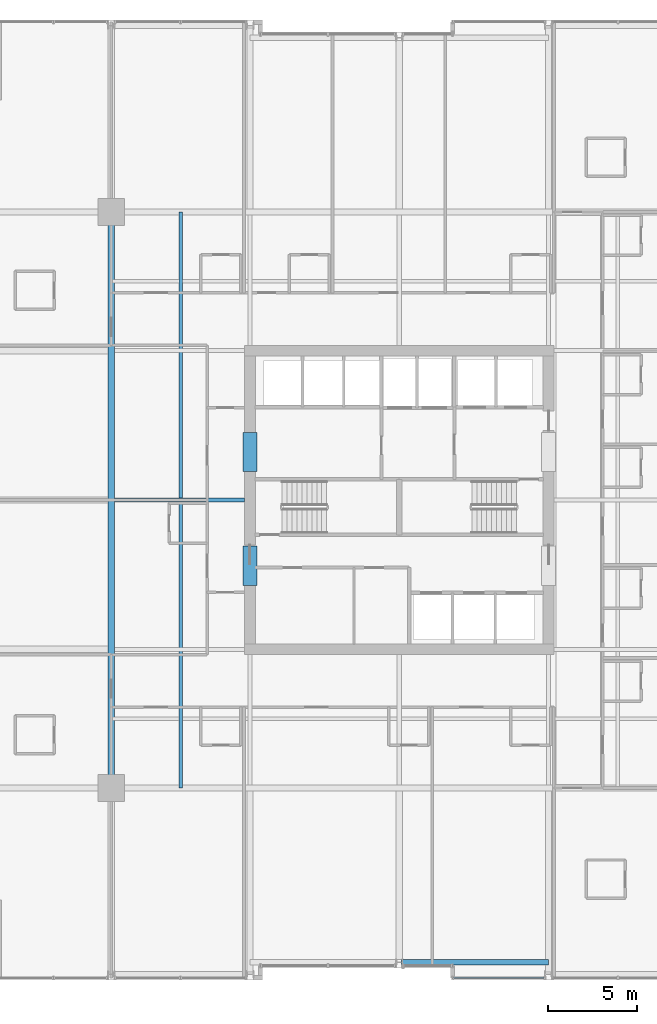
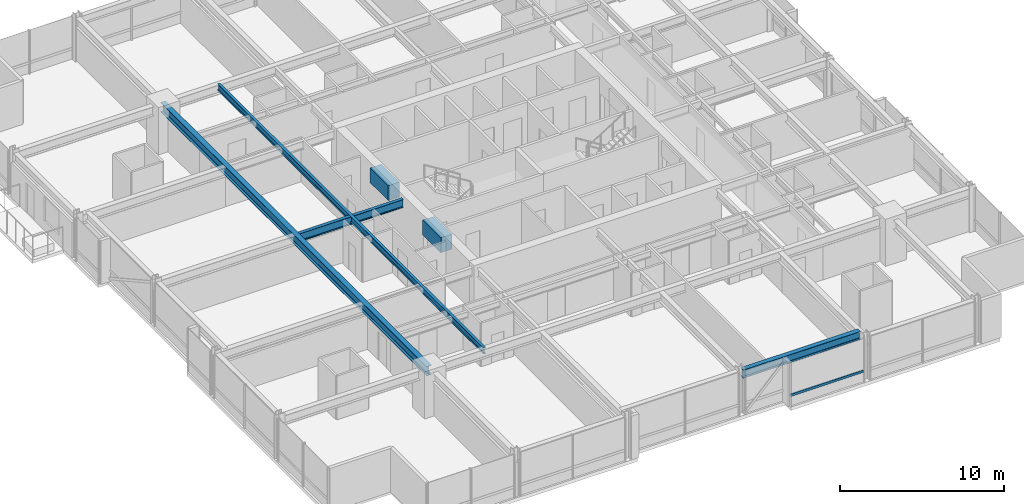
# One storey, part 10 of 35: 6 beams, 1 member, 1 element without a shape of its own.
"""IFC4 building model written with IfcOpenShell, lengths in metres."""

import ifcopenshell
import ifcopenshell.guid

model = None  # the IFC model being written
_history = None  # IfcOwnerHistory: only IFC2X3 demands one
_inside = {}  # id of a spatial element -> (the spatial element, [elements in it])
_under = {}  # id of a project, library or spatial element -> (it, [spatial elements below it])
_declared = {}  # id of a project -> (the project, [libraries it declares])
_typed = {}  # id of a type object -> (the type object, [elements of that type])
_made_of = {}  # id of a material, layer set ... -> (it, [elements and type objects made of it])


def new_model(schema):
    """Start an empty IFC model of exactly this schema.

    Asked for "IFC4X3", IfcOpenShell would pick the latest addendum, in which some entities
    have other attributes; the version numbers below select the first issue.
    IFC2X3 requires an IfcOwnerHistory on every rooted entity: one is made here for all.
    """
    global model, _history
    if schema == "IFC4X3":
        model = ifcopenshell.file(schema_version=(4, 3, 0, 0))
    else:
        model = ifcopenshell.file(schema=schema)
    _inside.clear()
    _under.clear()
    _declared.clear()
    _typed.clear()
    _made_of.clear()
    _history = None
    if model.schema == "IFC2X3":
        org = make("IfcOrganization", Name="unknown")
        user = make(
            "IfcPersonAndOrganization",
            ThePerson=make("IfcPerson", FamilyName="unknown"),
            TheOrganization=org,
        )
        app = make(
            "IfcApplication",
            ApplicationDeveloper=org,
            Version="unknown",
            ApplicationFullName="unknown",
            ApplicationIdentifier="unknown",
        )
        _history = make(
            "IfcOwnerHistory",
            OwningUser=user,
            OwningApplication=app,
            ChangeAction="ADDED",
            CreationDate=0,
        )
    return model


def make(cls, **values):
    """One entity of the class cls with the attributes given. An attribute that is None is left unset."""
    return model.create_entity(
        cls, **{name: value for name, value in values.items() if value is not None}
    )


def rooted(cls, **values):
    """An entity with a GlobalId (a new one), such as an element, a storey or a relation."""
    return make(cls, GlobalId=ifcopenshell.guid.new(), OwnerHistory=_history, **values)


def si_unit(unit_type, name, prefix=None):
    """IfcSIUnit, for example si_unit("LENGTHUNIT", "METRE", prefix="MILLI")."""
    return make("IfcSIUnit", UnitType=unit_type, Prefix=prefix, Name=name)


def assignment(units):
    """IfcUnitAssignment: the units of a project."""
    return None if units is None else make("IfcUnitAssignment", Units=units)


def point(xyz):
    """IfcCartesianPoint."""
    return None if xyz is None else make("IfcCartesianPoint", Coordinates=xyz)


def direction(xyz):
    """IfcDirection."""
    return None if xyz is None else make("IfcDirection", DirectionRatios=xyz)


def frame(location, z_axis=None, x_axis=None):
    """IfcAxis2Placement3D, a coordinate frame: its origin and axes. An axis left out is left unset."""
    return make(
        "IfcAxis2Placement3D",
        Location=point(location),
        Axis=direction(z_axis),
        RefDirection=direction(x_axis),
    )


def frame_2d(location, x_axis=None):
    """IfcAxis2Placement2D, a coordinate frame in the plane: its origin and x axis."""
    return make(
        "IfcAxis2Placement2D", Location=point(location), RefDirection=direction(x_axis)
    )


def origin():
    """The frame at (0, 0, 0) with its axes left unset."""
    return frame((0.0, 0.0, 0.0))


def origin_2d():
    """The frame at (0, 0) in the plane with its x axis left unset."""
    return frame_2d((0.0, 0.0))


def place(relative_to, where):
    """IfcLocalPlacement: puts the frame where relative to a parent placement (None: the world)."""
    return make(
        "IfcLocalPlacement", PlacementRelTo=relative_to, RelativePlacement=where
    )


def context(
    kind, dimensions, precision=None, world=None, true_north=None, identifier=None
):
    """IfcGeometricRepresentationContext, for example the 3D "Model" context."""
    return make(
        "IfcGeometricRepresentationContext",
        ContextIdentifier=identifier,
        ContextType=kind,
        CoordinateSpaceDimension=dimensions,
        Precision=precision,
        WorldCoordinateSystem=world,
        TrueNorth=true_north,
    )


def subcontext(parent, identifier, kind, view, scale=None):
    """IfcGeometricRepresentationSubContext, for example "Body" below "Model"."""
    return make(
        "IfcGeometricRepresentationSubContext",
        ContextIdentifier=identifier,
        ContextType=kind,
        ParentContext=parent,
        TargetScale=scale,
        TargetView=view,
    )


def project(units=None, contexts=None):
    """IfcProject with its units and contexts."""
    return rooted(
        "IfcProject",
        Name="project",
        RepresentationContexts=contexts,
        UnitsInContext=assignment(units),
    )


def spatial(cls, under=None, at=None, **own):
    """A site, building, storey or space (cls), placed at a placement, below another one or the project."""
    s = rooted(cls, ObjectPlacement=at, **own)
    if under is not None:
        _under.setdefault(under.id(), (under, []))[1].append(s)
    return s


def profile(cls, at=None, kind="AREA", **sizes):
    """A parametric profile (cls). Its sizes go by their IFC names, for example OverallWidth=200.0."""
    return make(cls, ProfileType=kind, Position=at, **sizes)


def rectangle(**sizes):
    """IfcRectangleProfileDef."""
    return profile("IfcRectangleProfileDef", **sizes)


def hollow_rectangle(**sizes):
    """IfcRectangleHollowProfileDef."""
    return profile("IfcRectangleHollowProfileDef", **sizes)


def i_section(**sizes):
    """IfcIShapeProfileDef."""
    return profile("IfcIShapeProfileDef", **sizes)


def extrude(swept, where, along, depth):
    """IfcExtrudedAreaSolid: the profile swept, set in the frame where, extruded along a direction by depth."""
    return make(
        "IfcExtrudedAreaSolid",
        SweptArea=swept,
        Position=where,
        ExtrudedDirection=direction(along),
        Depth=depth,
    )


def shape(context_of_items, identifier, shape_type, items):
    """IfcShapeRepresentation: the items that make up one representation, for example the "Body"."""
    return make(
        "IfcShapeRepresentation",
        ContextOfItems=context_of_items,
        RepresentationIdentifier=identifier,
        RepresentationType=shape_type,
        Items=items,
    )


def material(Name=None, Category=None):
    """IfcMaterial."""
    return make("IfcMaterial", Name=Name, Category=Category)


def layer(
    of_material, thickness, ventilated=None, Name=None, Category=None, Priority=None
):
    """IfcMaterialLayer: one layer of a wall or slab, of a material (None: an air gap)."""
    return make(
        "IfcMaterialLayer",
        Material=of_material,
        LayerThickness=thickness,
        IsVentilated=ventilated,
        Name=Name,
        Category=Category,
        Priority=Priority,
    )


def layer_set(layers, Name=None):
    """IfcMaterialLayerSet."""
    return make("IfcMaterialLayerSet", MaterialLayers=layers, LayerSetName=Name)


def material_profile(
    of_material, cross_section, Name=None, Category=None, Priority=None
):
    """IfcMaterialProfile: a cross section and its material."""
    return make(
        "IfcMaterialProfile",
        Name=Name,
        Material=of_material,
        Profile=cross_section,
        Priority=Priority,
        Category=Category,
    )


def profile_set(profiles, Name=None, composite=None):
    """IfcMaterialProfileSet."""
    return make(
        "IfcMaterialProfileSet",
        Name=Name,
        MaterialProfiles=profiles,
        CompositeProfile=composite,
    )


def made_of(thing, what):
    """Note that an element or type object is made of a material, layer set ...; save() writes the relation."""
    if what is not None:
        _made_of.setdefault(what.id(), (what, []))[1].append(thing)
    return thing


def type_object(cls, material=None, **own):
    """A type object (cls), such as IfcWallType, which elements share."""
    return made_of(rooted(cls, **own), material)


def element(
    cls,
    number,
    at=None,
    inside=None,
    cuts=None,
    type_object=None,
    material=None,
    context=None,
    identifier="Body",
    shape_type=None,
    held_by="IfcProductDefinitionShape",
    body=None,
    shapes=None,
    **own,
):
    """One element of the class cls, such as IfcWall. Its Tag is "e" and its number.

    at: its placement. inside: the storey or other place that contains it. cuts: it is an
    opening in that element (IfcRelVoidsElement). A single representation is given by context,
    identifier, shape_type and body (its items); several are given by shapes. held_by: the class
    of the entity that holds the representations. save() writes the other relations.
    """
    e = rooted(cls, Tag="e%d" % number, ObjectPlacement=at, **own)
    if body is not None:
        shapes = [shape(context, identifier, shape_type, body)]
    if shapes is not None:
        e.Representation = make(held_by, Representations=shapes)
    if inside is not None:
        _inside.setdefault(inside.id(), (inside, []))[1].append(e)
    if cuts is not None:
        rooted(
            "IfcRelVoidsElement", RelatingBuildingElement=cuts, RelatedOpeningElement=e
        )
    if type_object is not None:
        _typed.setdefault(type_object.id(), (type_object, []))[1].append(e)
    return made_of(e, material)


def aggregate(whole, parts):
    """IfcRelAggregates: a whole, such as a stair, and the parts it consists of."""
    return rooted("IfcRelAggregates", RelatingObject=whole, RelatedObjects=parts)


def save(model, path):
    """Write the relations noted so far, then the file.

    IfcRelAggregates (storeys below a building ...), IfcRelContainedInSpatialStructure (elements
    in a storey), IfcRelDefinesByType, IfcRelAssociatesMaterial and IfcRelDeclares: one each for
    every whole, place, type object, material and project.
    """
    for whole, parts in _under.values():
        aggregate(whole, parts)
    for where, things in _inside.values():
        rooted(
            "IfcRelContainedInSpatialStructure",
            RelatedElements=things,
            RelatingStructure=where,
        )
    for kind, things in _typed.values():
        rooted("IfcRelDefinesByType", RelatedObjects=things, RelatingType=kind)
    for what, things in _made_of.values():
        rooted("IfcRelAssociatesMaterial", RelatedObjects=things, RelatingMaterial=what)
    for by, libraries in _declared.values():
        rooted("IfcRelDeclares", RelatingContext=by, RelatedDefinitions=libraries)
    model.write(path)


model = new_model("IFC4")

# Units and contexts
model_context = context("Model", 3, precision=1e-05, world=origin(), true_north=direction((0.0, 1.0)))
body_context = subcontext(model_context, "Body", "Model", "MODEL_VIEW")
ifc_project = project(units=[si_unit("LENGTHUNIT", "METRE"), si_unit("AREAUNIT", "SQUARE_METRE"), si_unit("VOLUMEUNIT", "CUBIC_METRE"), si_unit("PLANEANGLEUNIT", "RADIAN"), si_unit("MASSUNIT", "GRAM", prefix="KILO")], contexts=[model_context])

# Site, building, storey
site_placement = place(None, origin())
site = spatial("IfcSite", under=ifc_project, at=site_placement, CompositionType="ELEMENT")
building_placement = place(site_placement, origin())
building = spatial("IfcBuilding", under=site, at=building_placement, Name="Drelvath Grand Hotel", CompositionType="ELEMENT")
storey_placement = place(building_placement, frame((0.0, 0.0, 123.300048828125)))
storey = spatial("IfcBuildingStorey", under=building, at=storey_placement, Name="L31", CompositionType="ELEMENT", Elevation=123.300048828125)

# Beams
ifc_material_1 = material(Name="Steel ASTM A992 Gr 50", Category="steel")
ifc_material_profile_1 = material_profile(ifc_material_1, i_section(OverallWidth=0.19140625, OverallDepth=0.4599609375, WebThickness=0.010009765625, FlangeThickness=0.01611328125, FilletRadius=0.01611328125, at=origin_2d()), Name="W18X55")
ifc_profile_set_1 = profile_set([ifc_material_profile_1], Name="Steel ASTM A992 Gr 50")
beam_type_1 = type_object("IfcBeamType", Name="Composite Floor Joist W18X55", PredefinedType="JOIST", material=ifc_profile_set_1)
beam_1_placement = place(storey_placement, frame((-12.300048828125, 10.800048828125, 3.010009765625), z_axis=(0.0, 1.0, 0.0), x_axis=(-1.0, 0.0, 0.0)))
element("IfcBeam", 1, at=beam_1_placement, inside=storey, type_object=beam_type_1, Name="L31 Wing Floor Joist J3", PredefinedType="JOIST", context=body_context, shape_type="SweptSolid", body=[
    extrude(i_section(OverallWidth=0.19140625, OverallDepth=0.4599609375, WebThickness=0.010009765625, FlangeThickness=0.01611328125, FilletRadius=0.01611328125, at=origin_2d()), origin(), (0.0, 0.0, 1.0), 32.39990234375),
])
ifc_material_2 = material(Name="Concrete f'c 70 MPa", Category="concrete")
ifc_material_profile_2 = material_profile(ifc_material_2, rectangle(XDim=0.800048828125, YDim=1.10009765625, at=origin_2d()), Name="CB800X1100")
ifc_profile_set_2 = profile_set([ifc_material_profile_2], Name="Concrete f'c 70 MPa")
beam_type_2 = type_object("IfcBeamType", Name="Core Coupling Lintel CB800X1100", PredefinedType="LINTEL", material=ifc_profile_set_2)
for number, where, z_axis, x_axis, name in (
    (2, (-8.39990234375, 22.199951171875, 2.68994140625), (0.0, 1.0, 0.0), (-1.0, 0.0, 0.0), "L31 Core Coupling Lintel WS"),
    (3, (-8.39990234375, 28.60009765625, 2.68994140625), (0.0, 1.0, 0.0), (-1.0, 0.0, 0.0), "L31 Core Coupling Lintel WN"),
):
    element("IfcBeam", number, at=place(storey_placement, frame(where, z_axis=z_axis, x_axis=x_axis)), inside=storey, type_object=beam_type_2, Name=name, PredefinedType="LINTEL", context=body_context, shape_type="SweptSolid", body=[
        extrude(rectangle(XDim=0.800048828125, YDim=1.10009765625, at=origin_2d()), origin(), (0.0, 0.0, 1.0), 2.199951171875),
    ])

# Curtain wall, member
ifc_material_3 = material(Name="Champagne Bronze Anodised Aluminium Frame", Category="aluminium")
ifc_layer = layer(ifc_material_3, 0.199951171875)
ifc_layer_set = layer_set([ifc_layer], Name="Champagne Bronze Anodised Aluminium Frame")
curtain_wall_type = type_object("IfcCurtainWallType", Name="Stick Curtain Wall CW-03 Champagne Bronze Mid-Rise", PredefinedType="NOTDEFINED", material=ifc_layer_set)
curtain_wall_placement = place(storey_placement, origin())
curtain_wall = element("IfcCurtainWall", 4, at=curtain_wall_placement, inside=storey, type_object=curtain_wall_type, Name="L31 CW-03 Curtain Wall CW03-L31-SE1", PredefinedType="NOTDEFINED")
ifc_material_profile_3 = material_profile(ifc_material_3, hollow_rectangle(XDim=0.074951171875, YDim=0.179931640625, WallThickness=0.0048828125, at=origin_2d()), Name="HSS180X75X5")
ifc_profile_set_3 = profile_set([ifc_material_profile_3], Name="Champagne Bronze Anodised Aluminium Frame")
member_type = type_object("IfcMemberType", Name="Curtain Wall Horizontal Transom CW-03 HSS180X75X5", PredefinedType="USERDEFINED", material=ifc_profile_set_3)
member_placement = place(storey_placement, frame((8.150634765625, 0.1201171875, 0.81005859375), z_axis=(-1.0, 0.0, 0.0), x_axis=(0.0, -1.0, 0.0)))
member = element("IfcMember", 5, at=member_placement, type_object=member_type, Name="CW03-L31-SE1 Sill Transom", ObjectType="TRANSOM", PredefinedType="USERDEFINED", context=body_context, shape_type="SweptSolid", body=[
    extrude(hollow_rectangle(XDim=0.074951171875, YDim=0.179931640625, WallThickness=0.0048828125, at=origin_2d()), origin(), (0.0, 0.0, 1.0), 5.110595703125),
])
aggregate(curtain_wall, [member])

# Beams
ifc_material_profile_4 = material_profile(ifc_material_1, i_section(OverallWidth=0.323974609375, OverallDepth=0.611083984375, WebThickness=0.0126953125, FlangeThickness=0.01904296875, FilletRadius=0.02197265625, at=origin_2d()), Name="W24X104")
ifc_profile_set_4 = profile_set([ifc_material_profile_4], Name="Steel ASTM A992 Gr 50")
beam_type_3 = type_object("IfcBeamType", Name="Perimeter Spandrel Beam W24X104", PredefinedType="SPANDREL", material=ifc_profile_set_4)
beam_2_placement = place(storey_placement, frame((0.139892578125, 1.0, 2.9345703125), z_axis=(1.0, 0.0, 0.0), x_axis=(0.0, 1.0, 0.0)))
element("IfcBeam", 6, at=beam_2_placement, inside=storey, type_object=beam_type_3, Name="L31 Spandrel South Mid E", PredefinedType="SPANDREL", context=body_context, shape_type="SweptSolid", body=[
    extrude(i_section(OverallWidth=0.323974609375, OverallDepth=0.611083984375, WebThickness=0.0126953125, FlangeThickness=0.01904296875, FilletRadius=0.02197265625, at=origin_2d()), origin(), (0.0, 0.0, 1.0), 8.260009765625),
])
ifc_material_profile_5 = material_profile(ifc_material_1, i_section(OverallWidth=0.228271484375, OverallDepth=0.607666015625, WebThickness=0.01123046875, FlangeThickness=0.017333984375, FilletRadius=0.02001953125, at=origin_2d()), Name="W24X76")
ifc_profile_set_5 = profile_set([ifc_material_profile_5], Name="Steel ASTM A992 Gr 50")
beam_type_4 = type_object("IfcBeamType", Name="Primary Floor Girder W24X76", PredefinedType="BEAM", material=ifc_profile_set_5)
beam_3_placement = place(storey_placement, frame((-16.022705078125, 27.0, 2.93603515625), z_axis=(1.0, 0.0, 0.0), x_axis=(0.0, 1.0, 0.0)))
element("IfcBeam", 7, at=beam_3_placement, inside=storey, type_object=beam_type_4, Name="L31 West Core Tie E", PredefinedType="BEAM", context=body_context, shape_type="SweptSolid", body=[
    extrude(i_section(OverallWidth=0.228271484375, OverallDepth=0.607666015625, WebThickness=0.01123046875, FlangeThickness=0.017333984375, FilletRadius=0.02001953125, at=origin_2d()), origin(), (0.0, 0.0, 1.0), 7.32275390625),
])
ifc_material_profile_6 = material_profile(ifc_material_1, i_section(OverallWidth=0.354736328125, OverallDepth=0.695556640625, WebThickness=0.015380859375, FlangeThickness=0.025146484375, FilletRadius=0.02392578125, at=origin_2d()), Name="W27X146")
ifc_profile_set_6 = profile_set([ifc_material_profile_6], Name="Steel ASTM A992 Gr 50")
beam_type_5 = type_object("IfcBeamType", Name="Primary Floor Girder W27X146", PredefinedType="BEAM", material=ifc_profile_set_6)
beam_4_placement = place(storey_placement, frame((-16.199951171875, 10.800048828125, 2.892333984375), z_axis=(0.0, 1.0, 0.0), x_axis=(-1.0, 0.0, 0.0)))
element("IfcBeam", 8, at=beam_4_placement, inside=storey, type_object=beam_type_5, Name="L31 Mega Ring Girder West", PredefinedType="BEAM", context=body_context, shape_type="SweptSolid", body=[
    extrude(i_section(OverallWidth=0.354736328125, OverallDepth=0.695556640625, WebThickness=0.015380859375, FlangeThickness=0.025146484375, FilletRadius=0.02392578125, at=origin_2d()), origin(), (0.0, 0.0, 1.0), 32.39990234375),
])

save(model, "model.ifc")
